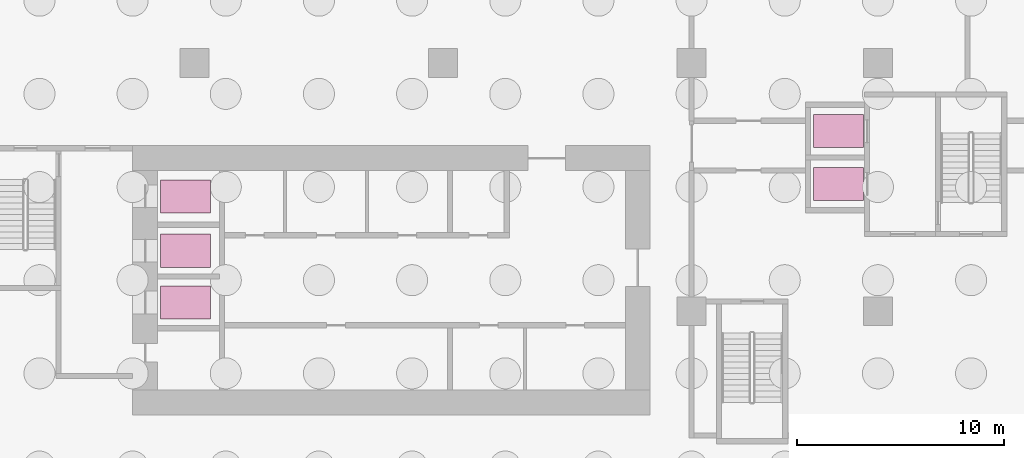
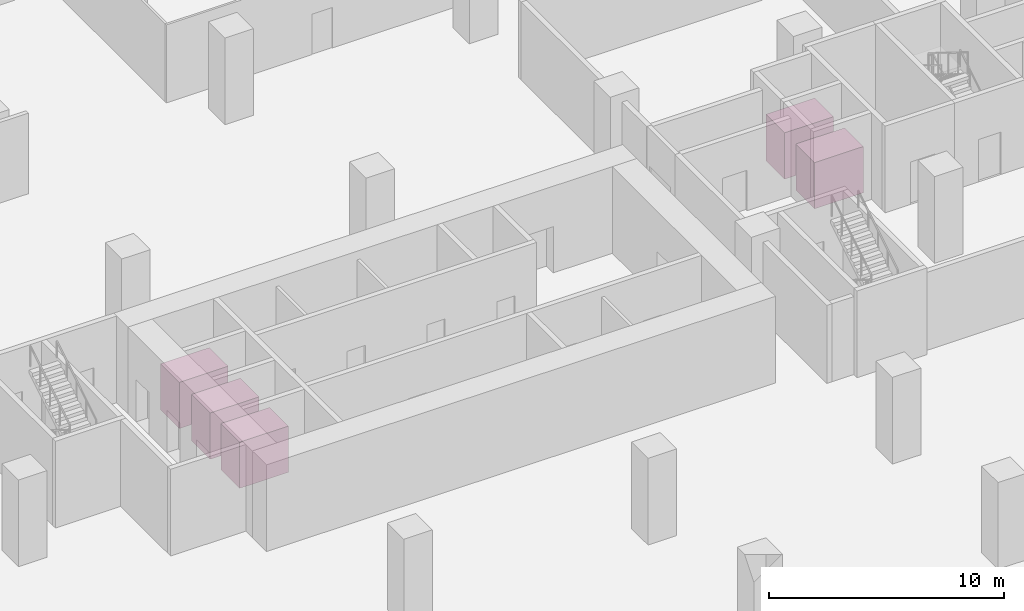
# One storey, part 13 of 13: 5 transport elements.
"""IFC4 building model written with IfcOpenShell, lengths in metres."""

from ifc_helpers import new_model, si_unit, direction, frame, origin, origin_2d, place, context, subcontext, project, spatial, rectangle, extrude, material, type_object, element, save


model = new_model("IFC4")

# Units and contexts
model_context = context("Model", 3, precision=1e-05, world=origin(), true_north=direction((0.0, 1.0)))
body_context = subcontext(model_context, "Body", "Model", "MODEL_VIEW")
ifc_project = project(units=[si_unit("LENGTHUNIT", "METRE"), si_unit("AREAUNIT", "SQUARE_METRE"), si_unit("VOLUMEUNIT", "CUBIC_METRE"), si_unit("PLANEANGLEUNIT", "RADIAN"), si_unit("MASSUNIT", "GRAM", prefix="KILO")], contexts=[model_context])

# Site, building, storey
site_placement = place(None, origin())
site = spatial("IfcSite", under=ifc_project, at=site_placement, CompositionType="ELEMENT")
building_placement = place(site_placement, origin())
building = spatial("IfcBuilding", under=site, at=building_placement, Name="Chenar Terraces", CompositionType="ELEMENT")
storey_placement = place(building_placement, frame((0.0, 0.0, -13.5)))
storey = spatial("IfcBuildingStorey", under=building, at=storey_placement, Name="B3", CompositionType="ELEMENT", Elevation=-13.5)

# Transport elements
ifc_material_1 = material(Name="Stainless steel", Category="steel")
transport_element_type_1 = type_object("IfcTransportElementType", Name="Fire-fighting lift car 1600 x 2400, 1600 kg", PredefinedType="ELEVATOR", material=ifc_material_1)
for number, where, z_axis, x_axis, name in (
    (1, (43.10009765625, 18.14990234375, 0.0), (0.0, 0.0, 1.0), (1.0, 0.0, 0.0), "Lift F3"),
    (2, (43.10009765625, 20.699951171875, 0.0), (0.0, 0.0, 1.0), (1.0, 0.0, 0.0), "Lift F4"),
):
    element("IfcTransportElement", number, at=place(storey_placement, frame(where, z_axis=z_axis, x_axis=x_axis)), inside=storey, type_object=transport_element_type_1, Name=name, PredefinedType="ELEVATOR", context=body_context, shape_type="SweptSolid", body=[
        extrude(rectangle(XDim=2.39990234375, YDim=1.60009765625, at=origin_2d()), origin(), (0.0, 0.0, 1.0), 2.39990234375),
    ])
ifc_material_2 = material(Name="Stainless steel", Category="steel")
transport_element_type_2 = type_object("IfcTransportElementType", Name="Service lift car 1600 x 2400, 1600 kg", PredefinedType="ELEVATOR", material=ifc_material_2)
for number, where, z_axis, x_axis, name in (
    (3, (11.550048828125, 12.425048828125, 0.0), (0.0, 0.0, 1.0), (1.0, 0.0, 0.0), "Lift S1"),
    (4, (11.550048828125, 14.925048828125, 0.0), (0.0, 0.0, 1.0), (1.0, 0.0, 0.0), "Lift F1"),
    (5, (11.550048828125, 17.550048828125, 0.0), (0.0, 0.0, 1.0), (1.0, 0.0, 0.0), "Lift F2"),
):
    element("IfcTransportElement", number, at=place(storey_placement, frame(where, z_axis=z_axis, x_axis=x_axis)), inside=storey, type_object=transport_element_type_2, Name=name, PredefinedType="ELEVATOR", context=body_context, shape_type="SweptSolid", body=[
        extrude(rectangle(XDim=2.39990234375, YDim=1.60009765625, at=origin_2d()), origin(), (0.0, 0.0, 1.0), 2.39990234375),
    ])

save(model, "model.ifc")
